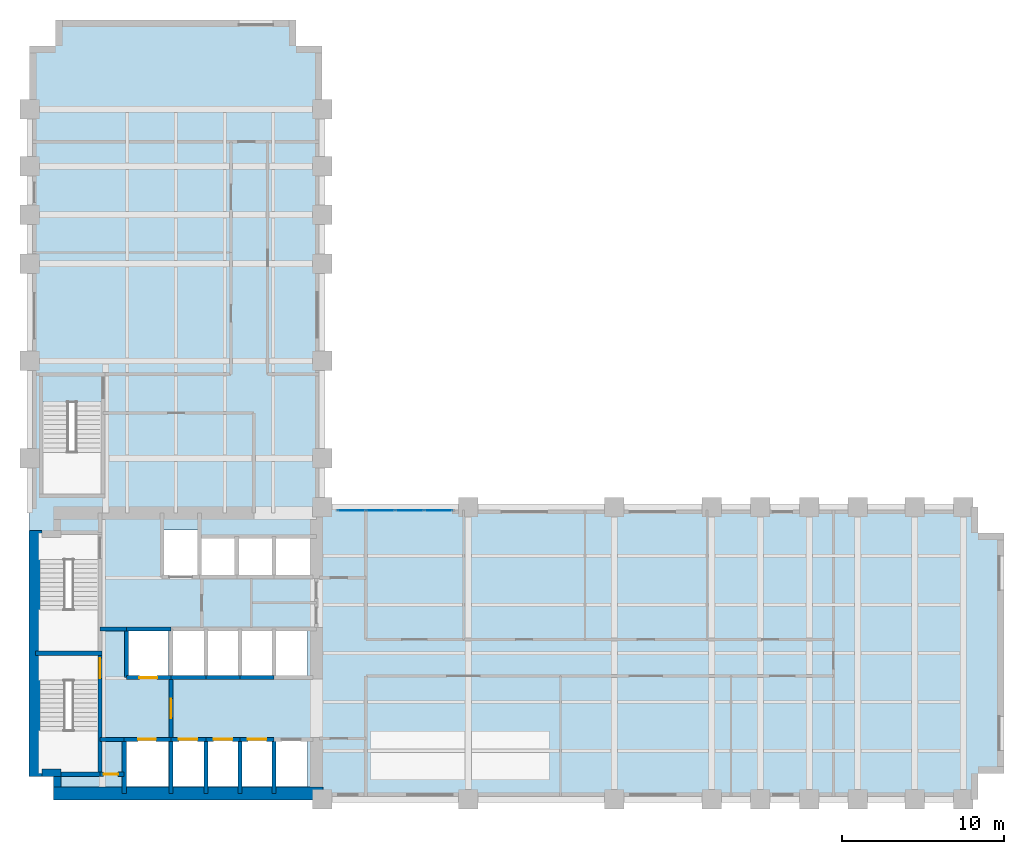
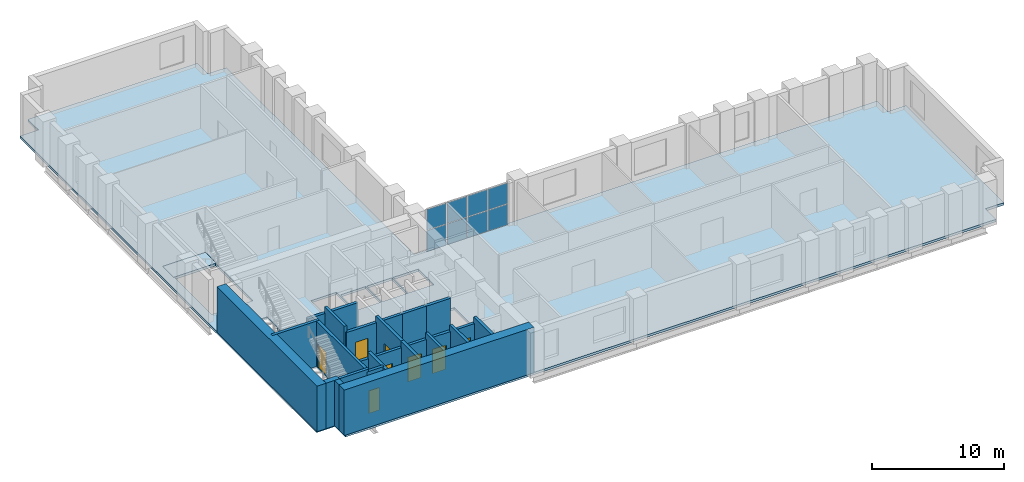
# One storey, part 4 of 9: 26 walls, 8 doors, 8 plates, 2 slabs, 8 openings, 2 elements without a shape of their own.
"""IFC4 building model written with IfcOpenShell, lengths in metres."""

from ifc_helpers import new_model, si_unit, direction, frame, frame_2d, origin, origin_2d, place, context, subcontext, project, spatial, polyline, rectangle, outline, extrude, material, layer, layer_set, type_object, element, fill, aggregate, save


model = new_model("IFC4")

# Units and contexts
model_context = context("Model", 3, precision=1e-05, world=origin(), true_north=direction((0.0, 1.0)))
body_context = subcontext(model_context, "Body", "Model", "MODEL_VIEW")
ifc_project = project(units=[si_unit("LENGTHUNIT", "METRE"), si_unit("AREAUNIT", "SQUARE_METRE"), si_unit("VOLUMEUNIT", "CUBIC_METRE"), si_unit("PLANEANGLEUNIT", "RADIAN"), si_unit("MASSUNIT", "GRAM", prefix="KILO")], contexts=[model_context])

# Site, building, storey
site_placement = place(None, origin())
site = spatial("IfcSite", under=ifc_project, at=site_placement, CompositionType="ELEMENT")
building_placement = place(site_placement, origin())
building = spatial("IfcBuilding", under=site, at=building_placement, Name="Mawjdan Bourse Tower", CompositionType="ELEMENT")
storey_placement = place(building_placement, frame((0.0, 0.0, 51.0)))
storey = spatial("IfcBuildingStorey", under=building, at=storey_placement, Name="L11", CompositionType="ELEMENT", Elevation=51.0)

# Curtain wall, plates
ifc_material_1 = material(Name="Thermally Broken Aluminium and Solar Glass", Category="aluminium")
ifc_layer_1 = layer(ifc_material_1, 0.219970703125)
ifc_layer_set_1 = layer_set([ifc_layer_1], Name="Thermally Broken Aluminium and Solar Glass")
curtain_wall_type = type_object("IfcCurtainWallType", Name="CW-ATR", PredefinedType="USERDEFINED", material=ifc_layer_set_1)
curtain_wall_placement = place(storey_placement, origin())
curtain_wall = element("IfcCurtainWall", 1, at=curtain_wall_placement, inside=storey, type_object=curtain_wall_type, Name="L11 Northeast Atrium Court Curtain Wall", ObjectType="ATRIUM GLAZED CURTAIN WALL", PredefinedType="USERDEFINED")
ifc_material_2 = material(Name="Low-SHGC Clear Atrium Glass", Category="glass")
ifc_layer_2 = layer(ifc_material_2, 0.035888671875)
ifc_layer_set_2 = layer_set([ifc_layer_2], Name="Low-SHGC Clear Atrium Glass")
plate_type = type_object("IfcPlateType", Name="PNL-CW-ATR", PredefinedType="CURTAIN_PANEL", material=ifc_layer_set_2)
plate_1_placement = place(storey_placement, frame((31.1826171875, 20.7900390625, 0.06005859375), z_axis=(0.0, 0.0, 1.0), x_axis=(-1.0, 0.0, 0.0)))
plate_1 = element("IfcPlate", 2, at=plate_1_placement, type_object=plate_type, Name="CW-ATR-L11-ATR-NE panel 1.1", PredefinedType="CURTAIN_PANEL", context=body_context, shape_type="SweptSolid", body=[
    extrude(rectangle(XDim=1.695068359375, YDim=0.035888671875, at=origin_2d()), origin(), (0.0, 0.0, 1.0), 1.89990234375),
])
plate_2_placement = place(storey_placement, frame((31.1826171875, 20.7900390625, 2.02001953125), z_axis=(0.0, 0.0, 1.0), x_axis=(-1.0, 0.0, 0.0)))
plate_2 = element("IfcPlate", 3, at=plate_2_placement, type_object=plate_type, Name="CW-ATR-L11-ATR-NE panel 1.2", PredefinedType="CURTAIN_PANEL", context=body_context, shape_type="SweptSolid", body=[
    extrude(rectangle(XDim=1.695068359375, YDim=0.035888671875, at=origin_2d()), origin(), (0.0, 0.0, 1.0), 1.89990234375),
])
plate_3_placement = place(storey_placement, frame((29.39990234375, 20.7900390625, 0.06005859375), z_axis=(0.0, 0.0, 1.0), x_axis=(-1.0, 0.0, 0.0)))
plate_3 = element("IfcPlate", 4, at=plate_3_placement, type_object=plate_type, Name="CW-ATR-L11-ATR-NE panel 2.1", PredefinedType="CURTAIN_PANEL", context=body_context, shape_type="SweptSolid", body=[
    extrude(rectangle(XDim=1.72998046875, YDim=0.035888671875, at=origin_2d()), origin(), (0.0, 0.0, 1.0), 1.89990234375),
])
plate_4_placement = place(storey_placement, frame((29.39990234375, 20.7900390625, 2.02001953125), z_axis=(0.0, 0.0, 1.0), x_axis=(-1.0, 0.0, 0.0)))
plate_4 = element("IfcPlate", 5, at=plate_4_placement, type_object=plate_type, Name="CW-ATR-L11-ATR-NE panel 2.2", PredefinedType="CURTAIN_PANEL", context=body_context, shape_type="SweptSolid", body=[
    extrude(rectangle(XDim=1.72998046875, YDim=0.035888671875, at=origin_2d()), origin(), (0.0, 0.0, 1.0), 1.89990234375),
])
plate_5_placement = place(storey_placement, frame((27.60009765625, 20.7900390625, 0.06005859375), z_axis=(0.0, 0.0, 1.0), x_axis=(-1.0, 0.0, 0.0)))
plate_5 = element("IfcPlate", 6, at=plate_5_placement, type_object=plate_type, Name="CW-ATR-L11-ATR-NE panel 3.1", PredefinedType="CURTAIN_PANEL", context=body_context, shape_type="SweptSolid", body=[
    extrude(rectangle(XDim=1.72998046875, YDim=0.035888671875, at=origin_2d()), origin(), (0.0, 0.0, 1.0), 1.89990234375),
])
plate_6_placement = place(storey_placement, frame((27.60009765625, 20.7900390625, 2.02001953125), z_axis=(0.0, 0.0, 1.0), x_axis=(-1.0, 0.0, 0.0)))
plate_6 = element("IfcPlate", 7, at=plate_6_placement, type_object=plate_type, Name="CW-ATR-L11-ATR-NE panel 3.2", PredefinedType="CURTAIN_PANEL", context=body_context, shape_type="SweptSolid", body=[
    extrude(rectangle(XDim=1.72998046875, YDim=0.035888671875, at=origin_2d()), origin(), (0.0, 0.0, 1.0), 1.89990234375),
])
plate_7_placement = place(storey_placement, frame((25.8173828125, 20.7900390625, 0.06005859375), z_axis=(0.0, 0.0, 1.0), x_axis=(-1.0, 0.0, 0.0)))
plate_7 = element("IfcPlate", 8, at=plate_7_placement, type_object=plate_type, Name="CW-ATR-L11-ATR-NE panel 4.1", PredefinedType="CURTAIN_PANEL", context=body_context, shape_type="SweptSolid", body=[
    extrude(rectangle(XDim=1.695068359375, YDim=0.035888671875, at=origin_2d()), origin(), (0.0, 0.0, 1.0), 1.89990234375),
])
plate_8_placement = place(storey_placement, frame((25.8173828125, 20.7900390625, 2.02001953125), z_axis=(0.0, 0.0, 1.0), x_axis=(-1.0, 0.0, 0.0)))
plate_8 = element("IfcPlate", 9, at=plate_8_placement, type_object=plate_type, Name="CW-ATR-L11-ATR-NE panel 4.2", PredefinedType="CURTAIN_PANEL", context=body_context, shape_type="SweptSolid", body=[
    extrude(rectangle(XDim=1.695068359375, YDim=0.035888671875, at=origin_2d()), origin(), (0.0, 0.0, 1.0), 1.89990234375),
])
aggregate(curtain_wall, [plate_1, plate_2, plate_3, plate_4, plate_5, plate_6, plate_7, plate_8])

# Stair, slab
ifc_material_3 = material(Name="Concrete C50/60", Category="concrete")
stair_type = type_object("IfcStairType", Name="STR-CORE-1500", PredefinedType="HALF_TURN_STAIR", material=ifc_material_3)
stair_placement = place(storey_placement, origin())
stair = element("IfcStair", 10, at=stair_placement, inside=storey, type_object=stair_type, Name="L11 Exit Stair 3 (North Wing)", PredefinedType="HALF_TURN_STAIR")
ifc_layer_3 = layer(ifc_material_3, 0.22998046875)
ifc_layer_set_3 = layer_set([ifc_layer_3], Name="Concrete C50/60")
slab_type_1 = type_object("IfcSlabType", Name="SL-LND-230", PredefinedType="LANDING", material=ifc_layer_set_3)
slab_1_placement = place(storey_placement, frame((0.0, 0.0, -0.22998046875)))
slab_1 = element("IfcSlab", 11, at=slab_1_placement, type_object=slab_type_1, Name="ST3-L11 landing 1", PredefinedType="LANDING", context=body_context, shape_type="SweptSolid", body=[
    extrude(outline(polyline([(6.739990234375, 27.4599609375), (10.4599609375, 27.4599609375), (10.4599609375, 29.1201171875), (6.739990234375, 29.1201171875), (6.739990234375, 27.4599609375)])), origin(), (0.0, 0.0, 1.0), 0.22998046875),
])
aggregate(stair, [slab_1])

# Slab
ifc_layer_4 = layer(ifc_material_3, 0.219970703125)
ifc_layer_set_4 = layer_set([ifc_layer_4], Name="Concrete C50/60")
slab_type_2 = type_object("IfcSlabType", Name="SL-TRD-220", PredefinedType="FLOOR", material=ifc_layer_set_4)
slab_2_placement = place(storey_placement, frame((0.0, 0.0, -0.219970703125)))
element("IfcSlab", 12, at=slab_2_placement, inside=storey, type_object=slab_type_2, Name="L11 Structural Floor Slab 1", PredefinedType="FLOOR", context=body_context, shape_type="SweptSolid", body=[
    extrude(outline(polyline([(7.60009765625, 3.0), (64.39990234375, 3.0), (64.39990234375, 4.60009765625), (66.0, 4.60009765625), (66.0, 19.39990234375), (64.39990234375, 19.39990234375), (64.39990234375, 21.0), (24.0, 21.0), (24.0, 49.39990234375), (22.39990234375, 49.39990234375), (22.39990234375, 51.0), (7.60009765625, 51.0), (7.60009765625, 49.39990234375), (6.0, 49.39990234375), (6.0, 4.60009765625), (7.60009765625, 4.60009765625), (7.60009765625, 3.0)]), holes=[polyline([(11.949951171875, 3.800048828125), (11.949951171875, 6.60009765625), (14.550048828125, 6.60009765625), (14.550048828125, 3.800048828125), (11.949951171875, 3.800048828125)]), polyline([(14.800048828125, 3.800048828125), (14.800048828125, 6.60009765625), (16.800048828125, 6.60009765625), (16.800048828125, 3.800048828125), (14.800048828125, 3.800048828125)]), polyline([(10.260009765625, 11.969970703125), (10.260009765625, 10.31005859375), (10.199951171875, 10.31005859375), (10.199951171875, 4.64990234375), (6.60009765625, 4.64990234375), (6.60009765625, 10.31005859375), (6.5400390625, 10.31005859375), (6.5400390625, 11.969970703125), (10.260009765625, 11.969970703125)]), polyline([(12.050048828125, 13.39990234375), (14.550048828125, 13.39990234375), (14.550048828125, 10.60009765625), (12.050048828125, 10.60009765625), (12.050048828125, 13.39990234375)]), polyline([(6.60009765625, 17.75), (6.5400390625, 17.75), (6.5400390625, 19.409912109375), (10.260009765625, 19.409912109375), (10.260009765625, 17.75), (10.199951171875, 17.75), (10.199951171875, 12.090087890625), (6.60009765625, 12.090087890625), (6.60009765625, 17.75)]), polyline([(14.199951171875, 16.800048828125), (14.199951171875, 19.60009765625), (16.39990234375, 19.60009765625), (16.39990234375, 16.800048828125), (14.199951171875, 16.800048828125)]), polyline([(10.4599609375, 27.4599609375), (10.39990234375, 27.4599609375), (10.39990234375, 21.800048828125), (6.800048828125, 21.800048828125), (6.800048828125, 27.4599609375), (6.739990234375, 27.4599609375), (6.739990234375, 29.1201171875), (10.4599609375, 29.1201171875), (10.4599609375, 27.4599609375)]), polyline([(16.89990234375, 3.800048828125), (16.89990234375, 6.60009765625), (18.89990234375, 6.60009765625), (18.89990234375, 3.800048828125), (16.89990234375, 3.800048828125)]), polyline([(19.0, 3.800048828125), (19.0, 6.60009765625), (21.0, 6.60009765625), (21.0, 3.800048828125), (19.0, 3.800048828125)]), polyline([(21.10009765625, 3.800048828125), (21.10009765625, 6.60009765625), (23.10009765625, 6.60009765625), (23.10009765625, 3.800048828125), (21.10009765625, 3.800048828125)]), polyline([(14.800048828125, 13.39990234375), (16.800048828125, 13.39990234375), (16.800048828125, 10.60009765625), (14.800048828125, 10.60009765625), (14.800048828125, 13.39990234375)]), polyline([(16.89990234375, 13.39990234375), (18.89990234375, 13.39990234375), (18.89990234375, 10.60009765625), (16.89990234375, 10.60009765625), (16.89990234375, 13.39990234375)]), polyline([(19.0, 10.60009765625), (19.0, 13.39990234375), (21.0, 13.39990234375), (21.0, 10.60009765625), (19.0, 10.60009765625)]), polyline([(21.10009765625, 10.60009765625), (21.10009765625, 13.39990234375), (23.10009765625, 13.39990234375), (23.10009765625, 10.60009765625), (21.10009765625, 10.60009765625)]), polyline([(16.5, 16.800048828125), (16.5, 19.14990234375), (18.699951171875, 19.14990234375), (18.699951171875, 16.800048828125), (16.5, 16.800048828125)]), polyline([(18.800048828125, 19.14990234375), (21.0, 19.14990234375), (21.0, 16.800048828125), (18.800048828125, 16.800048828125), (18.800048828125, 19.14990234375)]), polyline([(21.10009765625, 19.14990234375), (23.300048828125, 19.14990234375), (23.300048828125, 16.800048828125), (21.10009765625, 16.800048828125), (21.10009765625, 19.14990234375)])]), origin(), (0.0, 0.0, 1.0), 0.219970703125),
])

# Walls
ifc_material_4 = material(Name="Concrete C60/75", Category="concrete")
ifc_layer_5 = layer(ifc_material_4, 0.449951171875)
ifc_layer_set_5 = layer_set([ifc_layer_5], Name="Concrete C60/75")
wall_type_1 = type_object("IfcWallType", Name="WL-CORE-450", PredefinedType="SHEAR", material=ifc_layer_set_5)
wall_1_placement = place(storey_placement, frame((6.75, 4.64990234375, 0.0), z_axis=(0.0, 0.0, 1.0), x_axis=(1.0, 0.0, 0.0)))
element("IfcWall", 13, at=wall_1_placement, inside=storey, type_object=wall_type_1, Name="L11 Rear Core Shear Wall SW-X", PredefinedType="SHEAR", context=body_context, shape_type="SweptSolid", body=[
    extrude(rectangle(XDim=1.175048828125, YDim=0.449951171875, at=frame_2d((0.58740234375, 0.0))), origin(), (0.0, 0.0, 1.0), 4.199951171875),
])
wall_2_placement = place(storey_placement, frame((7.699951171875, 3.75, 0.0), z_axis=(0.0, 0.0, 1.0), x_axis=(0.0, 1.0, 0.0)))
element("IfcWall", 14, at=wall_2_placement, inside=storey, type_object=wall_type_1, Name="L11 Rear Core Shear Wall SW-Y", PredefinedType="SHEAR", context=body_context, shape_type="SweptSolid", body=[
    extrude(rectangle(XDim=0.675048828125, YDim=0.449951171875, at=frame_2d((0.33740234375, 0.0))), origin(), (0.0, 0.0, 1.0), 4.199951171875),
])
ifc_material_5 = material(Name="Concrete C80/95", Category="concrete")
ifc_layer_6 = layer(ifc_material_5, 0.800048828125)
ifc_layer_set_6 = layer_set([ifc_layer_6], Name="Concrete C80/95")
wall_type_2 = type_object("IfcWallType", Name="WL-CORE-800", PredefinedType="SHEAR", material=ifc_layer_set_6)
wall_3_placement = place(storey_placement, frame((7.47509765625, 3.35009765625, 0.0), z_axis=(0.0, 0.0, 1.0), x_axis=(1.0, 0.0, 0.0)))
element("IfcWall", 15, at=wall_3_placement, inside=storey, type_object=wall_type_2, Name="L11 Rear Core Shear Wall S", PredefinedType="SHEAR", context=body_context, shape_type="SweptSolid", body=[
    extrude(rectangle(XDim=16.574951171875, YDim=0.800048828125, at=frame_2d((8.28759765625, 0.0))), origin(), (0.0, 0.0, 1.0), 4.199951171875),
])
wall_4_placement = place(storey_placement, frame((6.35009765625, 4.425048828125, 0.0), z_axis=(0.0, 0.0, 1.0), x_axis=(0.0, 1.0, 0.0)))
element("IfcWall", 16, at=wall_4_placement, inside=storey, type_object=wall_type_2, Name="L11 Rear Core Shear Wall W", PredefinedType="SHEAR", context=body_context, shape_type="SweptSolid", body=[
    extrude(rectangle(XDim=15.14990234375, YDim=0.800048828125, at=frame_2d((7.574951171875, 0.0))), origin(), (0.0, 0.0, 1.0), 4.199951171875),
])

# Wall, opening, door
ifc_layer_7 = layer(ifc_material_3, 0.25)
ifc_layer_set_7 = layer_set([ifc_layer_7], Name="Concrete C50/60")
wall_type_3 = type_object("IfcWallType", Name="WL-SHFT-250", PredefinedType="PARTITIONING", material=ifc_layer_set_7)
wall_5_placement = place(storey_placement, frame((10.330078125, 4.550048828125, 0.0), z_axis=(0.0, 0.0, 1.0), x_axis=(1.0, 0.0, 0.0)))
wall_5 = element("IfcWall", 17, at=wall_5_placement, inside=storey, type_object=wall_type_3, Name="L11 SW Riser North Wall", PredefinedType="PARTITIONING", context=body_context, shape_type="SweptSolid", body=[
    extrude(rectangle(XDim=1.489990234375, YDim=0.25, at=frame_2d((0.7451171875, 0.0))), origin(), (0.0, 0.0, 1.0), 3.969970703125),
])
opening_1_placement = place(wall_5_placement, frame((0.219970703125, 0.0, 0.0)))
opening_1 = element("IfcOpeningElement", 18, at=opening_1_placement, cuts=wall_5, Name="Opening RD-L11-03", PredefinedType="OPENING", context=body_context, shape_type="SweptSolid", body=[
    extrude(rectangle(XDim=0.89990234375, YDim=2.10009765625, at=frame_2d((0.449951171875, 1.050048828125))), frame((0.0, 0.135009765625, 0.0), z_axis=(0.0, -1.0, 0.0), x_axis=(1.0, 0.0, 0.0)), (0.0, 0.0, 1.0), 0.27001953125),
])
ifc_material_6 = material(Name="Fire-Rated Steel Access Leaf", Category="steel")
door_type_1 = type_object("IfcDoorType", Name="FD-RSR-0900", OperationType="NOTDEFINED", PredefinedType="TRAPDOOR", material=ifc_material_6)
door_1_placement = place(opening_1_placement, origin())
door_1 = element("IfcDoor", 19, at=door_1_placement, inside=storey, type_object=door_type_1, Name="L11 Electrical Riser Access Door RD-L11-03", OperationType="SINGLE_SWING_RIGHT", OverallHeight=2.10009765625, OverallWidth=0.89990234375, PredefinedType="TRAPDOOR", context=body_context, shape_type="SweptSolid", body=[
    extrude(rectangle(XDim=0.89990234375, YDim=2.10009765625, at=frame_2d((0.449951171875, 1.050048828125))), frame((0.0, 0.02490234375, 0.0), z_axis=(0.0, -1.0, 0.0), x_axis=(1.0, 0.0, 0.0)), (0.0, 0.0, 1.0), 0.050048828125),
])
fill(opening_1, door_1)

# Wall
wall_6_placement = place(storey_placement, frame((11.820068359375, 3.35009765625, 0.0), z_axis=(0.0, 0.0, 1.0), x_axis=(0.0, 1.0, 0.0)))
element("IfcWall", 20, at=wall_6_placement, inside=storey, type_object=wall_type_3, Name="L11 SW Riser & FFL01 West Wall", PredefinedType="PARTITIONING", context=body_context, shape_type="SweptSolid", body=[
    extrude(rectangle(XDim=3.349853515625, YDim=0.25, at=frame_2d((1.6748046875, 0.0))), origin(), (0.0, 0.0, 1.0), 3.969970703125),
])

# Wall, opening, door
wall_7_placement = place(storey_placement, frame((11.820068359375, 6.699951171875, 0.0), z_axis=(0.0, 0.0, 1.0), x_axis=(1.0, 0.0, 0.0)))
wall_7 = element("IfcWall", 21, at=wall_7_placement, inside=storey, type_object=wall_type_3, Name="L11 FFL-01 Front Shaft Wall", PredefinedType="PARTITIONING", context=body_context, shape_type="SweptSolid", body=[
    extrude(rectangle(XDim=2.8798828125, YDim=0.25, at=frame_2d((1.43994140625, 0.0))), origin(), (0.0, 0.0, 1.0), 3.426025390625),
])
opening_2_placement = place(wall_7_placement, frame((0.85009765625, 0.0, 0.0)))
opening_2 = element("IfcOpeningElement", 22, at=opening_2_placement, cuts=wall_7, Name="Opening LD-L11-05", PredefinedType="OPENING", context=body_context, shape_type="SweptSolid", body=[
    extrude(rectangle(XDim=1.10009765625, YDim=2.25, at=frame_2d((0.550048828125, 1.125))), frame((0.0, 0.135009765625, 0.0), z_axis=(0.0, -1.0, 0.0), x_axis=(1.0, 0.0, 0.0)), (0.0, 0.0, 1.0), 0.27001953125),
])
ifc_material_7 = material(Name="Brushed Stainless Steel", Category="steel")
door_type_2 = type_object("IfcDoorType", Name="LD-FFL-1100", OperationType="DOUBLE_DOOR_SLIDING", PredefinedType="DOOR", material=ifc_material_7)
door_2_placement = place(opening_2_placement, origin())
door_2 = element("IfcDoor", 23, at=door_2_placement, inside=storey, type_object=door_type_2, Name="L11 Firefighting Lift FFL-01 Landing Door LD-L11-05", OperationType="DOUBLE_DOOR_SLIDING", OverallHeight=2.25, OverallWidth=1.10009765625, PredefinedType="DOOR", context=body_context, shape_type="SweptSolid", body=[
    extrude(rectangle(XDim=1.10009765625, YDim=2.25, at=frame_2d((0.550048828125, 1.125))), frame((0.0, 0.02490234375, 0.0), z_axis=(0.0, -1.0, 0.0), x_axis=(1.0, 0.0, 0.0)), (0.0, 0.0, 1.0), 0.050048828125),
])
fill(opening_2, door_2)

# Wall
wall_8_placement = place(storey_placement, frame((14.699951171875, 3.35009765625, 0.0), z_axis=(0.0, 0.0, 1.0), x_axis=(0.0, 1.0, 0.0)))
element("IfcWall", 24, at=wall_8_placement, inside=storey, type_object=wall_type_3, Name="L11 FFL-01 East Shaft Wall", PredefinedType="PARTITIONING", context=body_context, shape_type="SweptSolid", body=[
    extrude(rectangle(XDim=3.349853515625, YDim=0.25, at=frame_2d((1.6748046875, 0.0))), origin(), (0.0, 0.0, 1.0), 3.969970703125),
])

# Wall, opening, door
wall_9_placement = place(storey_placement, frame((11.949951171875, 10.5, 0.0), z_axis=(0.0, 0.0, 1.0), x_axis=(1.0, 0.0, 0.0)))
wall_9 = element("IfcWall", 25, at=wall_9_placement, inside=storey, type_object=wall_type_3, Name="L11 FFL-02 Front Shaft Wall", PredefinedType="PARTITIONING", context=body_context, shape_type="SweptSolid", body=[
    extrude(rectangle(XDim=2.75, YDim=0.25, at=frame_2d((1.375, 0.0))), origin(), (0.0, 0.0, 1.0), 3.426025390625),
])
opening_3_placement = place(wall_9_placement, frame((0.800048828125, 0.0, 0.0)))
opening_3 = element("IfcOpeningElement", 26, at=opening_3_placement, cuts=wall_9, Name="Opening LD-L11-06", PredefinedType="OPENING", context=body_context, shape_type="SweptSolid", body=[
    extrude(rectangle(XDim=1.10009765625, YDim=2.25, at=frame_2d((0.550048828125, 1.125))), frame((0.0, 0.135009765625, 0.0), z_axis=(0.0, -1.0, 0.0), x_axis=(1.0, 0.0, 0.0)), (0.0, 0.0, 1.0), 0.27001953125),
])
door_3_placement = place(opening_3_placement, origin())
door_3 = element("IfcDoor", 27, at=door_3_placement, inside=storey, type_object=door_type_2, Name="L11 Firefighting Lift FFL-02 Landing Door LD-L11-06", OperationType="DOUBLE_DOOR_SLIDING", OverallHeight=2.25, OverallWidth=1.10009765625, PredefinedType="DOOR", context=body_context, shape_type="SweptSolid", body=[
    extrude(rectangle(XDim=1.10009765625, YDim=2.25, at=frame_2d((0.550048828125, 1.125))), frame((0.0, 0.02490234375, 0.0), z_axis=(0.0, -1.0, 0.0), x_axis=(1.0, 0.0, 0.0)), (0.0, 0.0, 1.0), 0.050048828125),
])
fill(opening_3, door_3)

# Walls
wall_10_placement = place(storey_placement, frame((11.949951171875, 10.5, 0.0), z_axis=(0.0, 0.0, 1.0), x_axis=(0.0, 1.0, 0.0)))
element("IfcWall", 28, at=wall_10_placement, inside=storey, type_object=wall_type_3, Name="L11 FFL-02 West Shaft Wall", PredefinedType="PARTITIONING", context=body_context, shape_type="SweptSolid", body=[
    extrude(rectangle(XDim=3.0, YDim=0.25, at=frame_2d((1.5, 0.0))), origin(), (0.0, 0.0, 1.0), 3.969970703125),
])
wall_11_placement = place(storey_placement, frame((11.949951171875, 13.5, 0.0), z_axis=(0.0, 0.0, 1.0), x_axis=(1.0, 0.0, 0.0)))
element("IfcWall", 29, at=wall_11_placement, inside=storey, type_object=wall_type_3, Name="L11 FFL-02 North Shaft Wall", PredefinedType="PARTITIONING", context=body_context, shape_type="SweptSolid", body=[
    extrude(rectangle(XDim=2.75, YDim=0.25, at=frame_2d((1.375, 0.0))), origin(), (0.0, 0.0, 1.0), 3.426025390625),
])

# Wall, opening, door
wall_12_placement = place(storey_placement, frame((14.699951171875, 6.699951171875, 0.0), z_axis=(0.0, 0.0, 1.0), x_axis=(0.0, 1.0, 0.0)))
wall_12 = element("IfcWall", 30, at=wall_12_placement, inside=storey, type_object=wall_type_3, Name="L11 Firefighting Lobby East Compartment Wall", PredefinedType="PARTITIONING", context=body_context, shape_type="SweptSolid", body=[
    extrude(rectangle(XDim=3.800048828125, YDim=0.25, at=frame_2d((1.89990234375, 0.0))), origin(), (0.0, 0.0, 1.0), 3.969970703125),
])
opening_4_placement = place(wall_12_placement, frame((1.300048828125, 0.0, 0.0)))
opening_4 = element("IfcOpeningElement", 31, at=opening_4_placement, cuts=wall_12, Name="Opening FD-L11-07", PredefinedType="OPENING", context=body_context, shape_type="SweptSolid", body=[
    extrude(rectangle(XDim=1.199951171875, YDim=2.199951171875, at=frame_2d((0.60009765625, 1.10009765625))), frame((0.0, 0.135009765625, 0.0), z_axis=(0.0, -1.0, 0.0), x_axis=(1.0, 0.0, 0.0)), (0.0, 0.0, 1.0), 0.27001953125),
])
ifc_material_8 = material(Name="Fire-Rated Steel Leaf", Category="steel")
door_type_3 = type_object("IfcDoorType", Name="FD-FFL-1200", OperationType="NOTDEFINED", PredefinedType="DOOR", material=ifc_material_8)
door_4_placement = place(opening_4_placement, origin())
door_4 = element("IfcDoor", 32, at=door_4_placement, inside=storey, type_object=door_type_3, Name="L11 Firefighting Lobby East Smoke Door FD-L11-07", OperationType="SINGLE_SWING_RIGHT", OverallHeight=2.199951171875, OverallWidth=1.199951171875, PredefinedType="DOOR", context=body_context, shape_type="SweptSolid", body=[
    extrude(rectangle(XDim=1.199951171875, YDim=2.199951171875, at=frame_2d((0.60009765625, 1.10009765625))), frame((0.0, 0.02490234375, 0.0), z_axis=(0.0, -1.0, 0.0), x_axis=(1.0, 0.0, 0.0)), (0.0, 0.0, 1.0), 0.050048828125),
])
fill(opening_4, door_4)

# Walls
wall_13_placement = place(storey_placement, frame((10.330078125, 13.5, 0.0), z_axis=(0.0, 0.0, 1.0), x_axis=(1.0, 0.0, 0.0)))
element("IfcWall", 33, at=wall_13_placement, inside=storey, type_object=wall_type_3, Name="L11 Firefighting Lobby North Compartment Wall", PredefinedType="PARTITIONING", context=body_context, shape_type="SweptSolid", body=[
    extrude(rectangle(XDim=1.619873046875, YDim=0.25, at=frame_2d((0.81005859375, 0.0))), origin(), (0.0, 0.0, 1.0), 3.426025390625),
])
wall_14_placement = place(storey_placement, frame((10.330078125, 6.699951171875, 0.0), z_axis=(0.0, 0.0, 1.0), x_axis=(1.0, 0.0, 0.0)))
element("IfcWall", 34, at=wall_14_placement, inside=storey, type_object=wall_type_3, Name="L11 Firefighting Lobby South Closure Wall", PredefinedType="PARTITIONING", context=body_context, shape_type="SweptSolid", body=[
    extrude(rectangle(XDim=1.489990234375, YDim=0.25, at=frame_2d((0.7451171875, 0.0))), origin(), (0.0, 0.0, 1.0), 3.426025390625),
])

# Wall, opening, door
wall_15_placement = place(storey_placement, frame((14.699951171875, 6.699951171875, 0.0), z_axis=(0.0, 0.0, 1.0), x_axis=(1.0, 0.0, 0.0)))
wall_15 = element("IfcWall", 35, at=wall_15_placement, inside=storey, type_object=wall_type_3, Name="L11 PL-04 Front Wall", PredefinedType="PARTITIONING", context=body_context, shape_type="SweptSolid", body=[
    extrude(rectangle(XDim=2.150146484375, YDim=0.25, at=frame_2d((1.0751953125, 0.0))), origin(), (0.0, 0.0, 1.0), 3.426025390625),
])
opening_5_placement = place(wall_15_placement, frame((0.47998046875, 0.0, 0.0)))
opening_5 = element("IfcOpeningElement", 36, at=opening_5_placement, cuts=wall_15, Name="Opening LD-L11-10", PredefinedType="OPENING", context=body_context, shape_type="SweptSolid", body=[
    extrude(rectangle(XDim=1.14990234375, YDim=2.25, at=frame_2d((0.574951171875, 1.125))), frame((0.0, 0.135009765625, 0.0), z_axis=(0.0, -1.0, 0.0), x_axis=(1.0, 0.0, 0.0)), (0.0, 0.0, 1.0), 0.27001953125),
])
door_type_4 = type_object("IfcDoorType", Name="LD-PAS-1150", OperationType="DOUBLE_DOOR_SLIDING", PredefinedType="DOOR", material=ifc_material_7)
door_5_placement = place(opening_5_placement, origin())
door_5 = element("IfcDoor", 37, at=door_5_placement, inside=storey, type_object=door_type_4, Name="L11 Lift PL-04 Landing Door LD-L11-10", OperationType="DOUBLE_DOOR_SLIDING", OverallHeight=2.25, OverallWidth=1.14990234375, PredefinedType="DOOR", context=body_context, shape_type="SweptSolid", body=[
    extrude(rectangle(XDim=1.14990234375, YDim=2.25, at=frame_2d((0.574951171875, 1.125))), frame((0.0, 0.02490234375, 0.0), z_axis=(0.0, -1.0, 0.0), x_axis=(1.0, 0.0, 0.0)), (0.0, 0.0, 1.0), 0.050048828125),
])
fill(opening_5, door_5)

# Wall
wall_16_placement = place(storey_placement, frame((16.85009765625, 3.35009765625, 0.0), z_axis=(0.0, 0.0, 1.0), x_axis=(0.0, 1.0, 0.0)))
element("IfcWall", 38, at=wall_16_placement, inside=storey, type_object=wall_type_3, Name="L11 PL-04 Divider Wall", PredefinedType="PARTITIONING", context=body_context, shape_type="SweptSolid", body=[
    extrude(rectangle(XDim=3.349853515625, YDim=0.25, at=frame_2d((1.6748046875, 0.0))), origin(), (0.0, 0.0, 1.0), 3.969970703125),
])

# Wall, opening, door
wall_17_placement = place(storey_placement, frame((16.85009765625, 6.699951171875, 0.0), z_axis=(0.0, 0.0, 1.0), x_axis=(1.0, 0.0, 0.0)))
wall_17 = element("IfcWall", 39, at=wall_17_placement, inside=storey, type_object=wall_type_3, Name="L11 PL-01 Front Wall", PredefinedType="PARTITIONING", context=body_context, shape_type="SweptSolid", body=[
    extrude(rectangle(XDim=2.099853515625, YDim=0.25, at=frame_2d((1.0498046875, 0.0))), origin(), (0.0, 0.0, 1.0), 3.426025390625),
])
opening_6_placement = place(wall_17_placement, frame((0.47998046875, 0.0, 0.0)))
opening_6 = element("IfcOpeningElement", 40, at=opening_6_placement, cuts=wall_17, Name="Opening LD-L11-11", PredefinedType="OPENING", context=body_context, shape_type="SweptSolid", body=[
    extrude(rectangle(XDim=1.14990234375, YDim=2.25, at=frame_2d((0.574951171875, 1.125))), frame((0.0, 0.135009765625, 0.0), z_axis=(0.0, -1.0, 0.0), x_axis=(1.0, 0.0, 0.0)), (0.0, 0.0, 1.0), 0.27001953125),
])
door_6_placement = place(opening_6_placement, origin())
door_6 = element("IfcDoor", 41, at=door_6_placement, inside=storey, type_object=door_type_4, Name="L11 Lift PL-01 Landing Door LD-L11-11", OperationType="DOUBLE_DOOR_SLIDING", OverallHeight=2.25, OverallWidth=1.14990234375, PredefinedType="DOOR", context=body_context, shape_type="SweptSolid", body=[
    extrude(rectangle(XDim=1.14990234375, YDim=2.25, at=frame_2d((0.574951171875, 1.125))), frame((0.0, 0.02490234375, 0.0), z_axis=(0.0, -1.0, 0.0), x_axis=(1.0, 0.0, 0.0)), (0.0, 0.0, 1.0), 0.050048828125),
])
fill(opening_6, door_6)

# Wall
wall_18_placement = place(storey_placement, frame((18.949951171875, 3.35009765625, 0.0), z_axis=(0.0, 0.0, 1.0), x_axis=(0.0, 1.0, 0.0)))
element("IfcWall", 42, at=wall_18_placement, inside=storey, type_object=wall_type_3, Name="L11 PL-01 Divider Wall", PredefinedType="PARTITIONING", context=body_context, shape_type="SweptSolid", body=[
    extrude(rectangle(XDim=3.349853515625, YDim=0.25, at=frame_2d((1.6748046875, 0.0))), origin(), (0.0, 0.0, 1.0), 3.969970703125),
])

# Wall, opening, door
wall_19_placement = place(storey_placement, frame((18.949951171875, 6.699951171875, 0.0), z_axis=(0.0, 0.0, 1.0), x_axis=(1.0, 0.0, 0.0)))
wall_19 = element("IfcWall", 43, at=wall_19_placement, inside=storey, type_object=wall_type_3, Name="L11 PL-02 Front Wall", PredefinedType="PARTITIONING", context=body_context, shape_type="SweptSolid", body=[
    extrude(rectangle(XDim=2.10009765625, YDim=0.25, at=frame_2d((1.050048828125, 0.0))), origin(), (0.0, 0.0, 1.0), 3.426025390625),
])
opening_7_placement = place(wall_19_placement, frame((0.47998046875, 0.0, 0.0)))
opening_7 = element("IfcOpeningElement", 44, at=opening_7_placement, cuts=wall_19, Name="Opening LD-L11-12", PredefinedType="OPENING", context=body_context, shape_type="SweptSolid", body=[
    extrude(rectangle(XDim=1.14990234375, YDim=2.25, at=frame_2d((0.574951171875, 1.125))), frame((0.0, 0.135009765625, 0.0), z_axis=(0.0, -1.0, 0.0), x_axis=(1.0, 0.0, 0.0)), (0.0, 0.0, 1.0), 0.27001953125),
])
door_7_placement = place(opening_7_placement, origin())
door_7 = element("IfcDoor", 45, at=door_7_placement, inside=storey, type_object=door_type_4, Name="L11 Lift PL-02 Landing Door LD-L11-12", OperationType="DOUBLE_DOOR_SLIDING", OverallHeight=2.25, OverallWidth=1.14990234375, PredefinedType="DOOR", context=body_context, shape_type="SweptSolid", body=[
    extrude(rectangle(XDim=1.14990234375, YDim=2.25, at=frame_2d((0.574951171875, 1.125))), frame((0.0, 0.02490234375, 0.0), z_axis=(0.0, -1.0, 0.0), x_axis=(1.0, 0.0, 0.0)), (0.0, 0.0, 1.0), 0.050048828125),
])
fill(opening_7, door_7)

# Walls
wall_20_placement = place(storey_placement, frame((21.050048828125, 3.35009765625, 0.0), z_axis=(0.0, 0.0, 1.0), x_axis=(0.0, 1.0, 0.0)))
element("IfcWall", 46, at=wall_20_placement, inside=storey, type_object=wall_type_3, Name="L11 PL-02 Divider Wall", PredefinedType="PARTITIONING", context=body_context, shape_type="SweptSolid", body=[
    extrude(rectangle(XDim=3.349853515625, YDim=0.25, at=frame_2d((1.6748046875, 0.0))), origin(), (0.0, 0.0, 1.0), 3.969970703125),
])
wall_21_placement = place(storey_placement, frame((14.699951171875, 10.5, 0.0), z_axis=(0.0, 0.0, 1.0), x_axis=(1.0, 0.0, 0.0)))
element("IfcWall", 47, at=wall_21_placement, inside=storey, type_object=wall_type_3, Name="L11 PM-01 Front Wall", PredefinedType="PARTITIONING", context=body_context, shape_type="SweptSolid", body=[
    extrude(rectangle(XDim=2.150146484375, YDim=0.25, at=frame_2d((1.0751953125, 0.0))), origin(), (0.0, 0.0, 1.0), 3.426025390625),
])
wall_22_placement = place(storey_placement, frame((16.85009765625, 10.5, 0.0), z_axis=(0.0, 0.0, 1.0), x_axis=(1.0, 0.0, 0.0)))
element("IfcWall", 48, at=wall_22_placement, inside=storey, type_object=wall_type_3, Name="L11 PM-02 Front Wall", PredefinedType="PARTITIONING", context=body_context, shape_type="SweptSolid", body=[
    extrude(rectangle(XDim=2.099853515625, YDim=0.25, at=frame_2d((1.0498046875, 0.0))), origin(), (0.0, 0.0, 1.0), 3.426025390625),
])
wall_23_placement = place(storey_placement, frame((18.949951171875, 10.5, 0.0), z_axis=(0.0, 0.0, 1.0), x_axis=(1.0, 0.0, 0.0)))
element("IfcWall", 49, at=wall_23_placement, inside=storey, type_object=wall_type_3, Name="L11 PM-03 Front Wall", PredefinedType="PARTITIONING", context=body_context, shape_type="SweptSolid", body=[
    extrude(rectangle(XDim=2.10009765625, YDim=0.25, at=frame_2d((1.050048828125, 0.0))), origin(), (0.0, 0.0, 1.0), 3.426025390625),
])
ifc_layer_8 = layer(ifc_material_3, 0.25)
ifc_layer_set_8 = layer_set([ifc_layer_8], Name="Concrete C50/60")
wall_type_4 = type_object("IfcWallType", Name="WL-STRW-250", PredefinedType="SHEAR", material=ifc_layer_set_8)
wall_24_placement = place(storey_placement, frame((6.35009765625, 12.0, 0.0), z_axis=(0.0, 0.0, 1.0), x_axis=(1.0, 0.0, 0.0)))
element("IfcWall", 50, at=wall_24_placement, inside=storey, type_object=wall_type_4, Name="L11 Stairwell Dividing Shaft Wall", PredefinedType="SHEAR", context=body_context, shape_type="SweptSolid", body=[
    extrude(rectangle(XDim=4.10498046875, YDim=0.25, at=frame_2d((2.052490234375, 0.0))), origin(), (0.0, 0.0, 1.0), 4.199951171875),
])
wall_25_placement = place(storey_placement, frame((7.699951171875, 4.550048828125, 0.0), z_axis=(0.0, 0.0, 1.0), x_axis=(1.0, 0.0, 0.0)))
element("IfcWall", 51, at=wall_25_placement, inside=storey, type_object=wall_type_4, Name="L11 Stairwell ST1 South Shaft Wall", PredefinedType="SHEAR", context=body_context, shape_type="SweptSolid", body=[
    extrude(rectangle(XDim=2.755126953125, YDim=0.25, at=frame_2d((1.37744140625, 0.0))), origin(), (0.0, 0.0, 1.0), 4.199951171875),
])

# Wall, opening, door
wall_26_placement = place(storey_placement, frame((10.330078125, 4.550048828125, 0.0), z_axis=(0.0, 0.0, 1.0), x_axis=(0.0, 1.0, 0.0)))
wall_26 = element("IfcWall", 52, at=wall_26_placement, inside=storey, type_object=wall_type_4, Name="L11 Stairwell ST1 East Enclosure Wall", PredefinedType="SHEAR", context=body_context, shape_type="SweptSolid", body=[
    extrude(rectangle(XDim=7.449951171875, YDim=0.25, at=frame_2d((3.72509765625, 0.0))), origin(), (0.0, 0.0, 1.0), 4.199951171875),
])
opening_8_placement = place(wall_26_placement, frame((5.89990234375, 0.0, 0.0)))
opening_8 = element("IfcOpeningElement", 53, at=opening_8_placement, cuts=wall_26, Name="Opening SD-L11-01", PredefinedType="OPENING", context=body_context, shape_type="SweptSolid", body=[
    extrude(rectangle(XDim=1.25, YDim=2.199951171875, at=frame_2d((0.625, 1.10009765625))), frame((0.0, 0.135009765625, 0.0), z_axis=(0.0, -1.0, 0.0), x_axis=(1.0, 0.0, 0.0)), (0.0, 0.0, 1.0), 0.27001953125),
])
door_type_5 = type_object("IfcDoorType", Name="FD-ST-1250", OperationType="NOTDEFINED", PredefinedType="DOOR", material=ifc_material_8)
door_8_placement = place(opening_8_placement, origin())
door_8 = element("IfcDoor", 54, at=door_8_placement, inside=storey, type_object=door_type_5, Name="L11 Exit Stair ST1 Fire Door SD-L11-01", OperationType="SINGLE_SWING_RIGHT", OverallHeight=2.199951171875, OverallWidth=1.25, PredefinedType="DOOR", context=body_context, shape_type="SweptSolid", body=[
    extrude(rectangle(XDim=1.25, YDim=2.199951171875, at=frame_2d((0.625, 1.10009765625))), frame((0.0, 0.02490234375, 0.0), z_axis=(0.0, -1.0, 0.0), x_axis=(1.0, 0.0, 0.0)), (0.0, 0.0, 1.0), 0.050048828125),
])
fill(opening_8, door_8)

save(model, "model.ifc")
